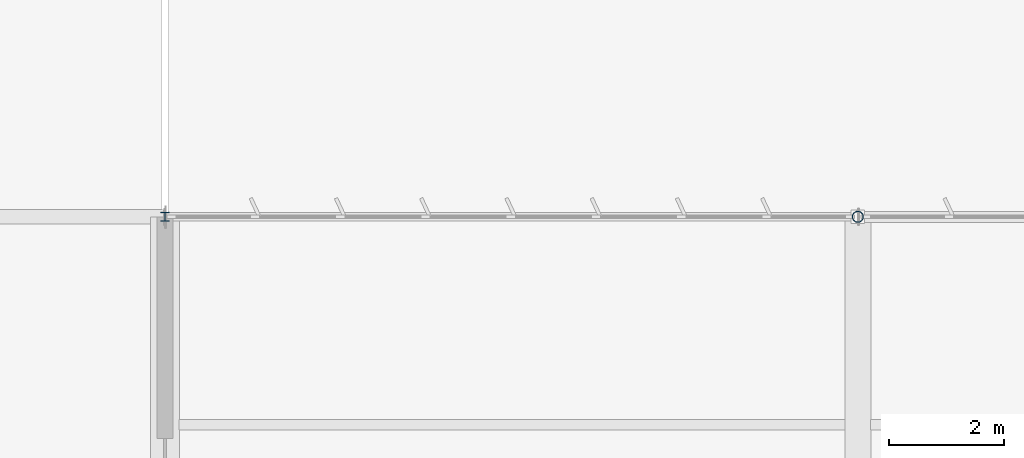
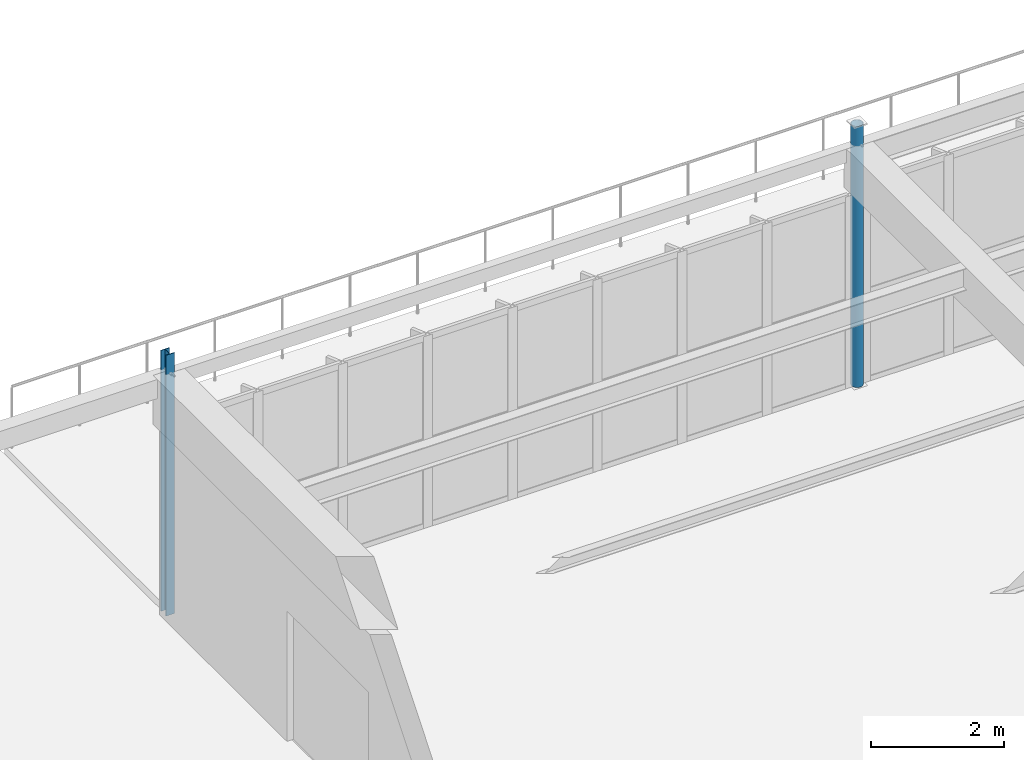
# One storey, part 65 of 199: 2 columns.
"""IFC4 building model written with IfcOpenShell, lengths in metres."""

from ifc_helpers import new_model, si_unit, direction, frame, origin, origin_2d, place, context, subcontext, project, spatial, hollow_circle, i_section, extrude, material, material_profile, profile_set, type_object, element, save


model = new_model("IFC4")

# Units and contexts
model_context = context("Model", 3, precision=1e-05, world=origin(), true_north=direction((0.0, 1.0)))
body_context = subcontext(model_context, "Body", "Model", "MODEL_VIEW")
ifc_project = project(units=[si_unit("LENGTHUNIT", "METRE"), si_unit("AREAUNIT", "SQUARE_METRE"), si_unit("VOLUMEUNIT", "CUBIC_METRE"), si_unit("PLANEANGLEUNIT", "RADIAN"), si_unit("MASSUNIT", "GRAM", prefix="KILO")], contexts=[model_context])

# Site, building, storey
site_placement = place(None, origin())
site = spatial("IfcSite", under=ifc_project, at=site_placement, CompositionType="ELEMENT")
building_placement = place(site_placement, origin())
building = spatial("IfcBuilding", under=site, at=building_placement, Name="Tarnwether General Hospital", CompositionType="ELEMENT")
storey_placement = place(building_placement, origin())
storey = spatial("IfcBuildingStorey", under=building, at=storey_placement, Name="L00", CompositionType="ELEMENT", Elevation=0.0)

# Columns
ifc_material_1 = material(Name="Steel Grade C350L0 (350 MPa)", Category="steel")
ifc_material_profile_1 = material_profile(ifc_material_1, hollow_circle(Radius=0.096923828125, WallThickness=0.008056640625, at=origin_2d()), Name="CHS193.7x8.0")
ifc_profile_set_1 = profile_set([ifc_material_profile_1], Name="Steel Grade C350L0 (350 MPa)")
column_type_1 = type_object("IfcColumnType", Name="COL-29", PredefinedType="COLUMN", material=ifc_profile_set_1)
column_1_placement = place(storey_placement, frame((156.0, 126.0, 0.0), z_axis=(0.0, 0.0, 1.0), x_axis=(0.0, 1.0, 0.0)))
element("IfcColumn", 1, at=column_1_placement, inside=storey, type_object=column_type_1, Name="Column COLG-L00-15600_12600", PredefinedType="COLUMN", context=body_context, shape_type="SweptSolid", body=[
    extrude(hollow_circle(Radius=0.096923828125, WallThickness=0.008056640625, at=origin_2d()), origin(), (0.0, 0.0, 1.0), 4.800048828125),
])
ifc_material_2 = material(Name="Steel Grade 350 (350 MPa)", Category="steel")
ifc_material_profile_2 = material_profile(ifc_material_2, i_section(OverallWidth=0.153076171875, OverallDepth=0.157958984375, WebThickness=0.006591796875, FlangeThickness=0.009521484375, at=origin_2d()), Name="150UC30.0")
ifc_profile_set_2 = profile_set([ifc_material_profile_2], Name="Steel Grade 350 (350 MPa)")
column_type_2 = type_object("IfcColumnType", Name="COL-31", PredefinedType="COLUMN", material=ifc_profile_set_2)
column_2_placement = place(storey_placement, frame((144.0, 126.0, 0.0), z_axis=(0.0, 0.0, 1.0), x_axis=(1.0, 0.0, 0.0)))
element("IfcColumn", 2, at=column_2_placement, inside=storey, type_object=column_type_2, Name="Column COLG-L00-14400_12600", PredefinedType="COLUMN", context=body_context, shape_type="SweptSolid", body=[
    extrude(i_section(OverallWidth=0.153076171875, OverallDepth=0.157958984375, WebThickness=0.006591796875, FlangeThickness=0.009521484375, at=origin_2d()), origin(), (0.0, 0.0, 1.0), 4.800048828125),
])

save(model, "model.ifc")
